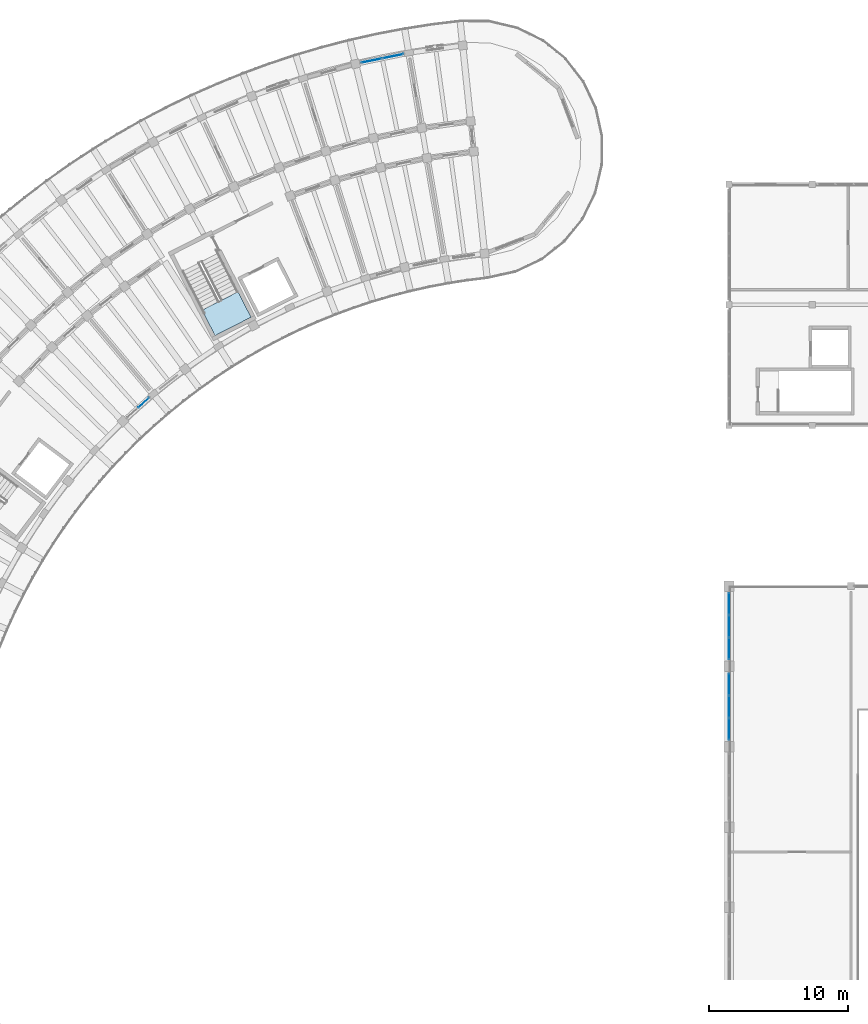
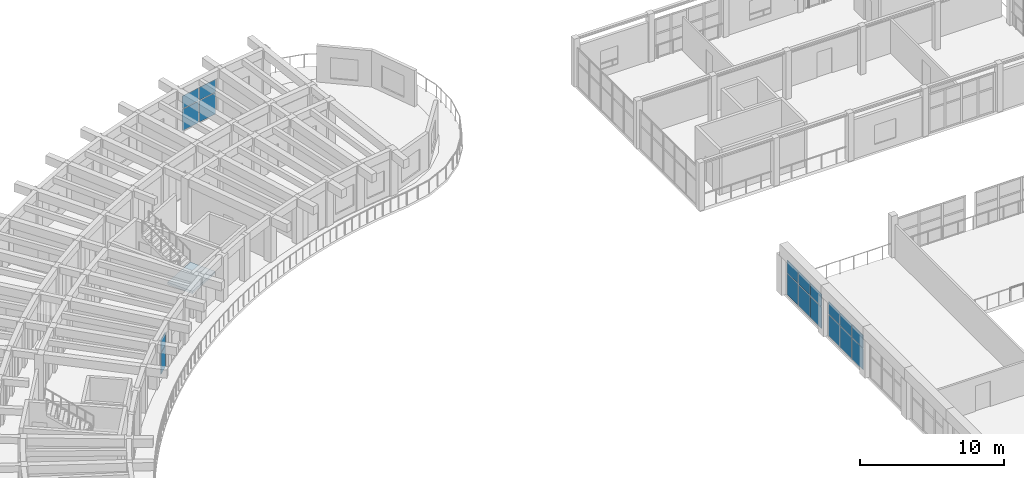
# One storey, part 73 of 128: 18 plates, 1 slab, 5 elements without a shape of their own.
"""IFC4 building model written with IfcOpenShell, lengths in metres."""

from ifc_helpers import new_model, si_unit, direction, frame, origin, origin_2d, place, context, subcontext, project, spatial, polyline, rectangle, outline, extrude, material, layer, layer_set, type_object, element, aggregate, save


model = new_model("IFC4")

# Units and contexts
model_context = context("Model", 3, precision=1e-05, world=origin(), true_north=direction((0.0, 1.0)))
body_context = subcontext(model_context, "Body", "Model", "MODEL_VIEW")
ifc_project = project(units=[si_unit("LENGTHUNIT", "METRE"), si_unit("AREAUNIT", "SQUARE_METRE"), si_unit("VOLUMEUNIT", "CUBIC_METRE"), si_unit("PLANEANGLEUNIT", "RADIAN"), si_unit("MASSUNIT", "GRAM", prefix="KILO")], contexts=[model_context])

# Site, building, storey
site_placement = place(None, origin())
site = spatial("IfcSite", under=ifc_project, at=site_placement, CompositionType="ELEMENT")
building_placement = place(site_placement, origin())
building = spatial("IfcBuilding", under=site, at=building_placement, Name="Tanwirah Colonnade Gardens", CompositionType="ELEMENT")
storey_placement = place(building_placement, frame((0.0, 0.0, 4.760009765625)))
storey = spatial("IfcBuildingStorey", under=building, at=storey_placement, Name="L01", CompositionType="ELEMENT", Elevation=4.760009765625)

# Curtain wall, plates
ifc_material_1 = material(Name="Bronze-anodised aluminium and solar-control low-E glass", Category="aluminium")
curtain_wall_type_1 = type_object("IfcCurtainWallType", Name="CW-LOB", PredefinedType="NOTDEFINED", material=ifc_material_1)
curtain_wall_1_placement = place(storey_placement, origin())
curtain_wall_1 = element("IfcCurtainWall", 1, at=curtain_wall_1_placement, inside=storey, type_object=curtain_wall_type_1, Name="Curtain Wall CW-A-L01-OUT-01", PredefinedType="NOTDEFINED")
ifc_material_2 = material(Name="Insulated bronze aluminium spandrel panel", Category="aluminium")
ifc_layer_1 = layer(ifc_material_2, 0.035888671875)
ifc_layer_set_1 = layer_set([ifc_layer_1], Name="Insulated bronze aluminium spandrel panel")
plate_type = type_object("IfcPlateType", Name="CWP-SPN36", PredefinedType="CURTAIN_PANEL", material=ifc_layer_set_1)
plate_1_placement = place(storey_placement, frame((53.7333984375, 118.646728515625, 0.06494140625), z_axis=(0.0, 0.0, 1.0), x_axis=(-0.979340523595, -0.202218047772, 0.0)))
plate_1 = element("IfcPlate", 2, at=plate_1_placement, type_object=plate_type, Name="CW-LOB panel 1.1", PredefinedType="CURTAIN_PANEL", context=body_context, shape_type="SweptSolid", body=[
    extrude(rectangle(XDim=1.50537109375, YDim=0.035888671875, at=origin_2d()), origin(), (0.0, 0.0, 1.0), 1.80908203125),
])
plate_2_placement = place(storey_placement, frame((53.7333984375, 118.646728515625, 1.93896484375), z_axis=(0.0, 0.0, 1.0), x_axis=(-0.979340523595, -0.202218047772, 0.0)))
plate_2 = element("IfcPlate", 3, at=plate_2_placement, type_object=plate_type, Name="CW-LOB panel 1.2", PredefinedType="CURTAIN_PANEL", context=body_context, shape_type="SweptSolid", body=[
    extrude(rectangle(XDim=1.50537109375, YDim=0.035888671875, at=origin_2d()), origin(), (0.0, 0.0, 1.0), 1.071044921875),
])
plate_3_placement = place(storey_placement, frame((52.195556640625, 118.329345703125, 0.06494140625), z_axis=(0.0, 0.0, 1.0), x_axis=(-0.979340523595, -0.202218047772, 0.0)))
plate_3 = element("IfcPlate", 4, at=plate_3_placement, type_object=plate_type, Name="CW-LOB panel 2.1", PredefinedType="CURTAIN_PANEL", context=body_context, shape_type="SweptSolid", body=[
    extrude(rectangle(XDim=1.50537109375, YDim=0.035888671875, at=origin_2d()), origin(), (0.0, 0.0, 1.0), 1.80908203125),
])
plate_4_placement = place(storey_placement, frame((52.195556640625, 118.329345703125, 1.93896484375), z_axis=(0.0, 0.0, 1.0), x_axis=(-0.979340523595, -0.202218047772, 0.0)))
plate_4 = element("IfcPlate", 5, at=plate_4_placement, type_object=plate_type, Name="CW-LOB panel 2.2", PredefinedType="CURTAIN_PANEL", context=body_context, shape_type="SweptSolid", body=[
    extrude(rectangle(XDim=1.50537109375, YDim=0.035888671875, at=origin_2d()), origin(), (0.0, 0.0, 1.0), 1.071044921875),
])
aggregate(curtain_wall_1, [plate_1, plate_2, plate_3, plate_4])

curtain_wall_type_2 = type_object("IfcCurtainWallType", Name="CW-GDN", PredefinedType="NOTDEFINED", material=ifc_material_1)
curtain_wall_2_placement = place(storey_placement, origin())
curtain_wall_2 = element("IfcCurtainWall", 6, at=curtain_wall_2_placement, inside=storey, type_object=curtain_wall_type_2, Name="Curtain Wall CW-A-L01-IN-09", PredefinedType="NOTDEFINED")
plate_5_placement = place(storey_placement, frame((35.736572265625, 93.630615234375, 0.06494140625), z_axis=(0.0, 0.0, 1.0), x_axis=(-0.744440162253, -0.667689182798, 0.0)))
plate_5 = element("IfcPlate", 7, at=plate_5_placement, type_object=plate_type, Name="CW-GDN panel 1.1", PredefinedType="CURTAIN_PANEL", context=body_context, shape_type="SweptSolid", body=[
    extrude(rectangle(XDim=1.007568359375, YDim=0.035888671875, at=origin_2d()), origin(), (0.0, 0.0, 1.0), 1.80908203125),
])
plate_6_placement = place(storey_placement, frame((35.736572265625, 93.630615234375, 1.93896484375), z_axis=(0.0, 0.0, 1.0), x_axis=(-0.744440162253, -0.667689182798, 0.0)))
plate_6 = element("IfcPlate", 8, at=plate_6_placement, type_object=plate_type, Name="CW-GDN panel 1.2", PredefinedType="CURTAIN_PANEL", context=body_context, shape_type="SweptSolid", body=[
    extrude(rectangle(XDim=1.007568359375, YDim=0.035888671875, at=origin_2d()), origin(), (0.0, 0.0, 1.0), 1.071044921875),
])
aggregate(curtain_wall_2, [plate_5, plate_6])

curtain_wall_type_3 = type_object("IfcCurtainWallType", Name="CW-HALL", PredefinedType="NOTDEFINED", material=ifc_material_1)
curtain_wall_3_placement = place(storey_placement, origin())
curtain_wall_3 = element("IfcCurtainWall", 9, at=curtain_wall_3_placement, inside=storey, type_object=curtain_wall_type_3, Name="Curtain Wall CW-HALL-L01-W-6", PredefinedType="NOTDEFINED")
plate_7_placement = place(storey_placement, frame((78.0, 70.0830078125, 0.06494140625), z_axis=(0.0, 0.0, 1.0), x_axis=(0.0, 1.0, 0.0)))
plate_7 = element("IfcPlate", 10, at=plate_7_placement, type_object=plate_type, Name="CW-HALL panel 1.1", PredefinedType="CURTAIN_PANEL", context=body_context, shape_type="SweptSolid", body=[
    extrude(rectangle(XDim=1.535888671875, YDim=0.035888671875, at=origin_2d()), origin(), (0.0, 0.0, 1.0), 1.7998046875),
])
plate_8_placement = place(storey_placement, frame((78.0, 70.0830078125, 1.9296875), z_axis=(0.0, 0.0, 1.0), x_axis=(0.0, 1.0, 0.0)))
plate_8 = element("IfcPlate", 11, at=plate_8_placement, type_object=plate_type, Name="CW-HALL panel 1.2", PredefinedType="CURTAIN_PANEL", context=body_context, shape_type="SweptSolid", body=[
    extrude(rectangle(XDim=1.535888671875, YDim=0.035888671875, at=origin_2d()), origin(), (0.0, 0.0, 1.0), 1.065185546875),
])
plate_9_placement = place(storey_placement, frame((78.0, 71.699951171875, 0.06494140625), z_axis=(0.0, 0.0, 1.0), x_axis=(0.0, 1.0, 0.0)))
plate_9 = element("IfcPlate", 12, at=plate_9_placement, type_object=plate_type, Name="CW-HALL panel 2.1", PredefinedType="CURTAIN_PANEL", context=body_context, shape_type="SweptSolid", body=[
    extrude(rectangle(XDim=1.568359375, YDim=0.035888671875, at=origin_2d()), origin(), (0.0, 0.0, 1.0), 1.7998046875),
])
plate_10_placement = place(storey_placement, frame((78.0, 71.699951171875, 1.9296875), z_axis=(0.0, 0.0, 1.0), x_axis=(0.0, 1.0, 0.0)))
plate_10 = element("IfcPlate", 13, at=plate_10_placement, type_object=plate_type, Name="CW-HALL panel 2.2", PredefinedType="CURTAIN_PANEL", context=body_context, shape_type="SweptSolid", body=[
    extrude(rectangle(XDim=1.568359375, YDim=0.035888671875, at=origin_2d()), origin(), (0.0, 0.0, 1.0), 1.065185546875),
])
plate_11_placement = place(storey_placement, frame((78.0, 73.317138671875, 0.06494140625), z_axis=(0.0, 0.0, 1.0), x_axis=(0.0, 1.0, 0.0)))
plate_11 = element("IfcPlate", 14, at=plate_11_placement, type_object=plate_type, Name="CW-HALL panel 3.1", PredefinedType="CURTAIN_PANEL", context=body_context, shape_type="SweptSolid", body=[
    extrude(rectangle(XDim=1.535888671875, YDim=0.035888671875, at=origin_2d()), origin(), (0.0, 0.0, 1.0), 1.7998046875),
])
plate_12_placement = place(storey_placement, frame((78.0, 73.317138671875, 1.9296875), z_axis=(0.0, 0.0, 1.0), x_axis=(0.0, 1.0, 0.0)))
plate_12 = element("IfcPlate", 15, at=plate_12_placement, type_object=plate_type, Name="CW-HALL panel 3.2", PredefinedType="CURTAIN_PANEL", context=body_context, shape_type="SweptSolid", body=[
    extrude(rectangle(XDim=1.535888671875, YDim=0.035888671875, at=origin_2d()), origin(), (0.0, 0.0, 1.0), 1.065185546875),
])
aggregate(curtain_wall_3, [plate_7, plate_8, plate_9, plate_10, plate_11, plate_12])

curtain_wall_4_placement = place(storey_placement, origin())
curtain_wall_4 = element("IfcCurtainWall", 16, at=curtain_wall_4_placement, inside=storey, type_object=curtain_wall_type_3, Name="Curtain Wall CW-HALL-L01-W-7", PredefinedType="NOTDEFINED")
plate_13_placement = place(storey_placement, frame((78.0, 75.8828125, 0.06494140625), z_axis=(0.0, 0.0, 1.0), x_axis=(0.0, 1.0, 0.0)))
plate_13 = element("IfcPlate", 17, at=plate_13_placement, type_object=plate_type, Name="CW-HALL panel 1.1", PredefinedType="CURTAIN_PANEL", context=body_context, shape_type="SweptSolid", body=[
    extrude(rectangle(XDim=1.535888671875, YDim=0.035888671875, at=origin_2d()), origin(), (0.0, 0.0, 1.0), 1.7998046875),
])
plate_14_placement = place(storey_placement, frame((78.0, 75.8828125, 1.9296875), z_axis=(0.0, 0.0, 1.0), x_axis=(0.0, 1.0, 0.0)))
plate_14 = element("IfcPlate", 18, at=plate_14_placement, type_object=plate_type, Name="CW-HALL panel 1.2", PredefinedType="CURTAIN_PANEL", context=body_context, shape_type="SweptSolid", body=[
    extrude(rectangle(XDim=1.535888671875, YDim=0.035888671875, at=origin_2d()), origin(), (0.0, 0.0, 1.0), 1.065185546875),
])
plate_15_placement = place(storey_placement, frame((78.0, 77.5, 0.06494140625), z_axis=(0.0, 0.0, 1.0), x_axis=(0.0, 1.0, 0.0)))
plate_15 = element("IfcPlate", 19, at=plate_15_placement, type_object=plate_type, Name="CW-HALL panel 2.1", PredefinedType="CURTAIN_PANEL", context=body_context, shape_type="SweptSolid", body=[
    extrude(rectangle(XDim=1.568359375, YDim=0.035888671875, at=origin_2d()), origin(), (0.0, 0.0, 1.0), 1.7998046875),
])
plate_16_placement = place(storey_placement, frame((78.0, 77.5, 1.9296875), z_axis=(0.0, 0.0, 1.0), x_axis=(0.0, 1.0, 0.0)))
plate_16 = element("IfcPlate", 20, at=plate_16_placement, type_object=plate_type, Name="CW-HALL panel 2.2", PredefinedType="CURTAIN_PANEL", context=body_context, shape_type="SweptSolid", body=[
    extrude(rectangle(XDim=1.568359375, YDim=0.035888671875, at=origin_2d()), origin(), (0.0, 0.0, 1.0), 1.065185546875),
])
plate_17_placement = place(storey_placement, frame((78.0, 79.1171875, 0.06494140625), z_axis=(0.0, 0.0, 1.0), x_axis=(0.0, 1.0, 0.0)))
plate_17 = element("IfcPlate", 21, at=plate_17_placement, type_object=plate_type, Name="CW-HALL panel 3.1", PredefinedType="CURTAIN_PANEL", context=body_context, shape_type="SweptSolid", body=[
    extrude(rectangle(XDim=1.535888671875, YDim=0.035888671875, at=origin_2d()), origin(), (0.0, 0.0, 1.0), 1.7998046875),
])
plate_18_placement = place(storey_placement, frame((78.0, 79.1171875, 1.9296875), z_axis=(0.0, 0.0, 1.0), x_axis=(0.0, 1.0, 0.0)))
plate_18 = element("IfcPlate", 22, at=plate_18_placement, type_object=plate_type, Name="CW-HALL panel 3.2", PredefinedType="CURTAIN_PANEL", context=body_context, shape_type="SweptSolid", body=[
    extrude(rectangle(XDim=1.535888671875, YDim=0.035888671875, at=origin_2d()), origin(), (0.0, 0.0, 1.0), 1.065185546875),
])
aggregate(curtain_wall_4, [plate_13, plate_14, plate_15, plate_16, plate_17, plate_18])

# Stair, slab
ifc_material_3 = material(Name="Precast concrete C40/50", Category="concrete")
stair_type = type_object("IfcStairType", Name="ST-RES170", PredefinedType="HALF_TURN_STAIR", material=ifc_material_3)
stair_placement = place(storey_placement, origin())
stair = element("IfcStair", 23, at=stair_placement, inside=storey, type_object=stair_type, Name="L01 Block A Core 1 Exit Stair", PredefinedType="HALF_TURN_STAIR")
ifc_layer_2 = layer(ifc_material_3, 0.205078125)
ifc_layer_set_2 = layer_set([ifc_layer_2], Name="Precast concrete C40/50")
slab_type = type_object("IfcSlabType", Name="SL-LND-205", PredefinedType="LANDING", material=ifc_layer_set_2)
slab_placement = place(storey_placement, frame((0.0, 0.0, 1.8349609375)))
slab = element("IfcSlab", 24, at=slab_placement, type_object=slab_type, Name="ST-A1 landing 1", PredefinedType="LANDING", context=body_context, shape_type="SweptSolid", body=[
    extrude(outline(polyline([(39.95703125, 100.318359375), (40.89453125, 98.478515625), (43.496337890625, 99.80419921875), (42.558837890625, 101.64404296875), (39.95703125, 100.318359375)])), origin(), (0.0, 0.0, 1.0), 0.205078125),
])
aggregate(stair, [slab])

save(model, "model.ifc")
